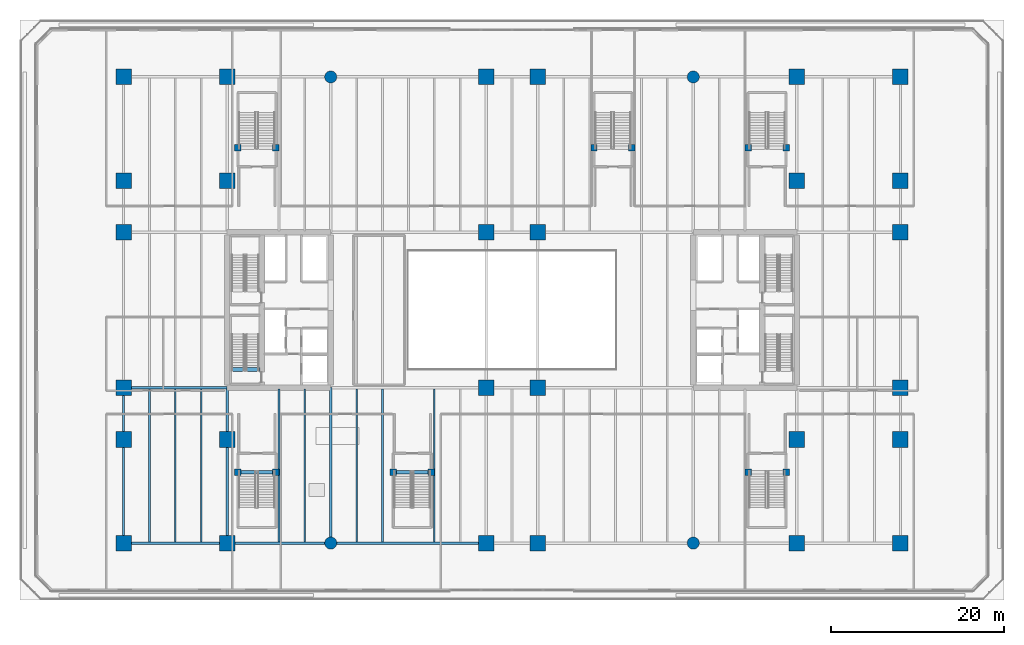
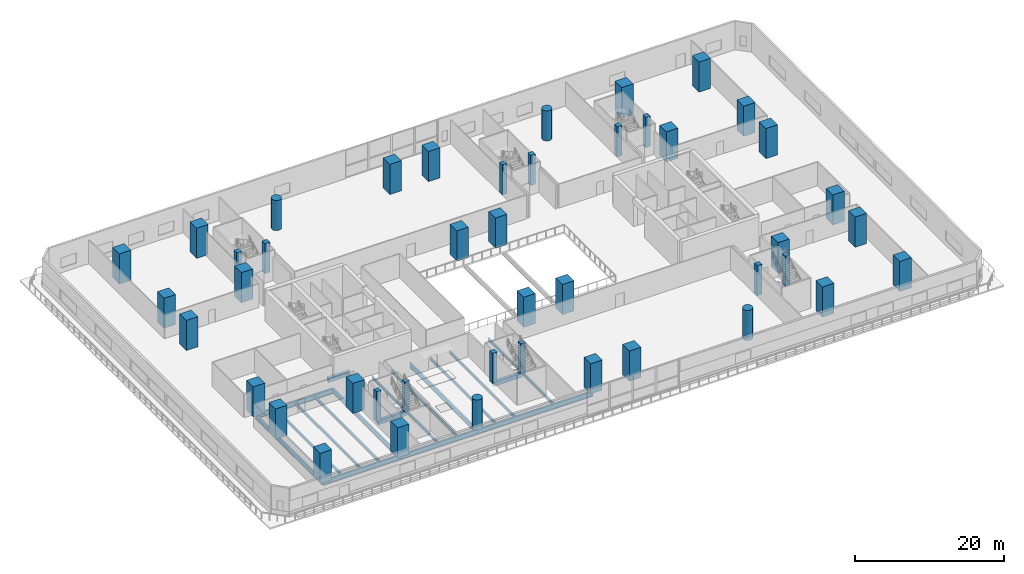
# One storey, part 1 of 24: 44 columns, 18 beams.
"""IFC4 building model written with IfcOpenShell, lengths in metres."""

from ifc_helpers import new_model, si_unit, direction, frame, origin, origin_2d, place, context, subcontext, project, spatial, rectangle, circle, i_section, extrude, material, material_profile, profile_set, type_object, element, save


model = new_model("IFC4")

# Units and contexts
model_context = context("Model", 3, precision=1e-05, world=origin(), true_north=direction((0.0, 1.0)))
body_context = subcontext(model_context, "Body", "Model", "MODEL_VIEW")
ifc_project = project(units=[si_unit("LENGTHUNIT", "METRE"), si_unit("AREAUNIT", "SQUARE_METRE"), si_unit("VOLUMEUNIT", "CUBIC_METRE"), si_unit("PLANEANGLEUNIT", "RADIAN"), si_unit("MASSUNIT", "GRAM", prefix="KILO")], contexts=[model_context])

# Site, building, storey
site_placement = place(None, origin())
site = spatial("IfcSite", under=ifc_project, at=site_placement, CompositionType="ELEMENT")
building_placement = place(site_placement, origin())
building = spatial("IfcBuilding", under=site, at=building_placement, Name="Tanjung Sevakor Pilgrim Tower", CompositionType="ELEMENT")
storey_placement = place(building_placement, frame((0.0, 0.0, 4.949951171875)))
storey = spatial("IfcBuildingStorey", under=building, at=storey_placement, Name="L02", CompositionType="ELEMENT", Elevation=4.949951171875)

# Columns
ifc_material_1 = material(Name="Concrete C60/75", Category="concrete")
ifc_material_profile_1 = material_profile(ifc_material_1, circle(Radius=0.699951171875, at=origin_2d()))
ifc_profile_set_1 = profile_set([ifc_material_profile_1], Name="Concrete C60/75")
column_type_1 = type_object("IfcColumnType", Name="COL-C-D1400-RC-COL_D1400", PredefinedType="COLUMN", material=ifc_profile_set_1)
for number, where, z_axis, x_axis, name in (
    (1, (36.0, 6.60009765625, 0.0), (0.0, 0.0, 1.0), (1.0, 0.0, 0.0), "L02 Column MC-036-066"),
    (2, (36.0, 60.60009765625, 0.0), (0.0, 0.0, 1.0), (1.0, 0.0, 0.0), "L02 Column MC-036-606"),
    (3, (78.0, 6.60009765625, 0.0), (0.0, 0.0, 1.0), (1.0, 0.0, 0.0), "L02 Column MC-078-066"),
    (4, (78.0, 60.60009765625, 0.0), (0.0, 0.0, 1.0), (1.0, 0.0, 0.0), "L02 Column MC-078-606"),
):
    element("IfcColumn", number, at=place(storey_placement, frame(where, z_axis=z_axis, x_axis=x_axis)), inside=storey, type_object=column_type_1, Name=name, PredefinedType="COLUMN", context=body_context, shape_type="SweptSolid", body=[
        extrude(circle(Radius=0.699951171875, at=origin_2d()), origin(), (0.0, 0.0, 1.0), 4.949951171875),
    ])
ifc_material_2 = material(Name="Concrete C60/75", Category="concrete")
ifc_material_profile_2 = material_profile(ifc_material_2, rectangle(XDim=1.800048828125, YDim=1.800048828125, at=origin_2d()))
ifc_profile_set_2 = profile_set([ifc_material_profile_2], Name="Concrete C60/75")
column_type_2 = type_object("IfcColumnType", Name="COL-C-M1800-RC_1800x1800", PredefinedType="COLUMN", material=ifc_profile_set_2)
for number, where, z_axis, x_axis, name in (
    (5, (12.0, 6.60009765625, 0.0), (0.0, 0.0, 1.0), (1.0, 0.0, 0.0), "L02 Column MC-012-066"),
    (6, (12.0, 24.60009765625, 0.0), (0.0, 0.0, 1.0), (1.0, 0.0, 0.0), "L02 Column MC-012-246"),
    (7, (12.0, 42.60009765625, 0.0), (0.0, 0.0, 1.0), (1.0, 0.0, 0.0), "L02 Column MC-012-426"),
    (8, (12.0, 60.60009765625, 0.0), (0.0, 0.0, 1.0), (1.0, 0.0, 0.0), "L02 Column MC-012-606"),
    (9, (24.0, 6.60009765625, 0.0), (0.0, 0.0, 1.0), (1.0, 0.0, 0.0), "L02 Column MC-024-066"),
    (10, (24.0, 60.60009765625, 0.0), (0.0, 0.0, 1.0), (1.0, 0.0, 0.0), "L02 Column MC-024-606"),
    (11, (54.0, 6.60009765625, 0.0), (0.0, 0.0, 1.0), (1.0, 0.0, 0.0), "L02 Column MC-054-066"),
    (12, (54.0, 24.60009765625, 0.0), (0.0, 0.0, 1.0), (1.0, 0.0, 0.0), "L02 Column MC-054-246"),
    (13, (54.0, 42.60009765625, 0.0), (0.0, 0.0, 1.0), (1.0, 0.0, 0.0), "L02 Column MC-054-426"),
    (14, (54.0, 60.60009765625, 0.0), (0.0, 0.0, 1.0), (1.0, 0.0, 0.0), "L02 Column MC-054-606"),
    (15, (60.0, 6.60009765625, 0.0), (0.0, 0.0, 1.0), (1.0, 0.0, 0.0), "L02 Column MC-060-066"),
    (16, (60.0, 24.60009765625, 0.0), (0.0, 0.0, 1.0), (1.0, 0.0, 0.0), "L02 Column MC-060-246"),
    (17, (60.0, 42.60009765625, 0.0), (0.0, 0.0, 1.0), (1.0, 0.0, 0.0), "L02 Column MC-060-426"),
    (18, (60.0, 60.60009765625, 0.0), (0.0, 0.0, 1.0), (1.0, 0.0, 0.0), "L02 Column MC-060-606"),
    (19, (90.0, 6.60009765625, 0.0), (0.0, 0.0, 1.0), (1.0, 0.0, 0.0), "L02 Column MC-090-066"),
    (20, (90.0, 60.60009765625, 0.0), (0.0, 0.0, 1.0), (1.0, 0.0, 0.0), "L02 Column MC-090-606"),
    (21, (102.0, 6.60009765625, 0.0), (0.0, 0.0, 1.0), (1.0, 0.0, 0.0), "L02 Column MC-102-066"),
    (22, (102.0, 24.60009765625, 0.0), (0.0, 0.0, 1.0), (1.0, 0.0, 0.0), "L02 Column MC-102-246"),
    (23, (102.0, 42.60009765625, 0.0), (0.0, 0.0, 1.0), (1.0, 0.0, 0.0), "L02 Column MC-102-426"),
    (24, (102.0, 60.60009765625, 0.0), (0.0, 0.0, 1.0), (1.0, 0.0, 0.0), "L02 Column MC-102-606"),
    (25, (12.0, 18.60009765625, 0.0), (0.0, 0.0, 1.0), (1.0, 0.0, 0.0), "L02 Column MCE-012-186"),
    (26, (12.0, 48.60009765625, 0.0), (0.0, 0.0, 1.0), (1.0, 0.0, 0.0), "L02 Column MCE-012-486"),
    (27, (24.0, 18.60009765625, 0.0), (0.0, 0.0, 1.0), (1.0, 0.0, 0.0), "L02 Column MCE-024-186"),
    (28, (24.0, 48.60009765625, 0.0), (0.0, 0.0, 1.0), (1.0, 0.0, 0.0), "L02 Column MCE-024-486"),
    (29, (90.0, 18.60009765625, 0.0), (0.0, 0.0, 1.0), (1.0, 0.0, 0.0), "L02 Column MCE-090-186"),
    (30, (90.0, 48.60009765625, 0.0), (0.0, 0.0, 1.0), (1.0, 0.0, 0.0), "L02 Column MCE-090-486"),
    (31, (102.0, 18.60009765625, 0.0), (0.0, 0.0, 1.0), (1.0, 0.0, 0.0), "L02 Column MCE-102-186"),
    (32, (102.0, 48.60009765625, 0.0), (0.0, 0.0, 1.0), (1.0, 0.0, 0.0), "L02 Column MCE-102-486"),
):
    element("IfcColumn", number, at=place(storey_placement, frame(where, z_axis=z_axis, x_axis=x_axis)), inside=storey, type_object=column_type_2, Name=name, PredefinedType="COLUMN", context=body_context, shape_type="SweptSolid", body=[
        extrude(rectangle(XDim=1.800048828125, YDim=1.800048828125, at=origin_2d()), origin(), (0.0, 0.0, 1.0), 4.949951171875),
    ])
ifc_material_3 = material(Name="Concrete C60/75", Category="concrete")
ifc_material_profile_3 = material_profile(ifc_material_3, rectangle(XDim=0.75, YDim=0.75, at=origin_2d()))
ifc_profile_set_3 = profile_set([ifc_material_profile_3], Name="Concrete C60/75")
column_type_3 = type_object("IfcColumnType", Name="COL-C-T750-RC_750x750", PredefinedType="COLUMN", material=ifc_profile_set_3)
for number, where, z_axis, x_axis, name in (
    (33, (25.25, 14.800048828125, 0.0), (0.0, 0.0, 1.0), (1.0, 0.0, 0.0), "L02 Stair Frame Column PS1P1"),
    (34, (29.64990234375, 14.800048828125, 0.0), (0.0, 0.0, 1.0), (1.0, 0.0, 0.0), "L02 Stair Frame Column PS1P2"),
    (35, (25.25, 52.39990234375, 0.0), (0.0, 0.0, 1.0), (1.0, 0.0, 0.0), "L02 Stair Frame Column PS2P1"),
    (36, (29.64990234375, 52.39990234375, 0.0), (0.0, 0.0, 1.0), (1.0, 0.0, 0.0), "L02 Stair Frame Column PS2P2"),
    (37, (43.25, 14.800048828125, 0.0), (0.0, 0.0, 1.0), (1.0, 0.0, 0.0), "L02 Stair Frame Column PS3P1"),
    (38, (47.64990234375, 14.800048828125, 0.0), (0.0, 0.0, 1.0), (1.0, 0.0, 0.0), "L02 Stair Frame Column PS3P2"),
    (39, (66.5, 52.39990234375, 0.0), (0.0, 0.0, 1.0), (1.0, 0.0, 0.0), "L02 Stair Frame Column PS4P1"),
    (40, (70.89990234375, 52.39990234375, 0.0), (0.0, 0.0, 1.0), (1.0, 0.0, 0.0), "L02 Stair Frame Column PS4P2"),
    (41, (84.35009765625, 14.800048828125, 0.0), (0.0, 0.0, 1.0), (1.0, 0.0, 0.0), "L02 Stair Frame Column PS5P1"),
    (42, (88.75, 14.800048828125, 0.0), (0.0, 0.0, 1.0), (1.0, 0.0, 0.0), "L02 Stair Frame Column PS5P2"),
    (43, (84.35009765625, 52.39990234375, 0.0), (0.0, 0.0, 1.0), (1.0, 0.0, 0.0), "L02 Stair Frame Column PS6P1"),
    (44, (88.75, 52.39990234375, 0.0), (0.0, 0.0, 1.0), (1.0, 0.0, 0.0), "L02 Stair Frame Column PS6P2"),
):
    element("IfcColumn", number, at=place(storey_placement, frame(where, z_axis=z_axis, x_axis=x_axis)), inside=storey, type_object=column_type_3, Name=name, PredefinedType="COLUMN", context=body_context, shape_type="SweptSolid", body=[
        extrude(rectangle(XDim=0.75, YDim=0.75, at=origin_2d()), origin(), (0.0, 0.0, 1.0), 4.949951171875),
    ])

# Beams
ifc_material_4 = material(Name="Steel S355J2", Category="steel")
ifc_material_profile_4 = material_profile(ifc_material_4, i_section(OverallWidth=0.26806640625, OverallDepth=0.769775390625, WebThickness=0.015625, FlangeThickness=0.025390625, FilletRadius=0.0166015625, at=origin_2d()))
ifc_profile_set_4 = profile_set([ifc_material_profile_4], Name="Steel S355J2")
beam_type_1 = type_object("IfcBeamType", Name="BM-B-G1-UB_762x267x197", PredefinedType="BEAM", material=ifc_profile_set_4)
for number, where, z_axis, x_axis, name in (
    (45, (12.0, 6.60009765625, -0.664794921875), (0.0, 1.0, 0.0), (-1.0, 0.0, 0.0), "L02 Podium Girder NS X12-1"),
    (46, (24.0, 6.60009765625, -0.664794921875), (0.0, 1.0, 0.0), (-1.0, 0.0, 0.0), "L02 Podium Girder NS X24-1"),
    (47, (36.0, 6.60009765625, -0.664794921875), (0.0, 1.0, 0.0), (-1.0, 0.0, 0.0), "L02 Podium Girder NS X36-1"),
):
    element("IfcBeam", number, at=place(storey_placement, frame(where, z_axis=z_axis, x_axis=x_axis)), inside=storey, type_object=beam_type_1, Name=name, PredefinedType="BEAM", context=body_context, shape_type="SweptSolid", body=[
        extrude(i_section(OverallWidth=0.26806640625, OverallDepth=0.769775390625, WebThickness=0.015625, FlangeThickness=0.025390625, FilletRadius=0.0166015625, at=origin_2d()), origin(), (0.0, 0.0, 1.0), 18.0),
    ])
ifc_material_5 = material(Name="Steel S355J2", Category="steel")
ifc_material_profile_5 = material_profile(ifc_material_5, i_section(OverallWidth=0.19287109375, OverallDepth=0.46728515625, WebThickness=0.011474609375, FlangeThickness=0.01953125, FilletRadius=0.01025390625, at=origin_2d()))
ifc_profile_set_5 = profile_set([ifc_material_profile_5], Name="Steel S355J2")
beam_type_2 = type_object("IfcBeamType", Name="BM-B-J1-UB_457x191x98", PredefinedType="JOIST", material=ifc_profile_set_5)
for number, where, z_axis, x_axis, name in (
    (48, (15.0, 6.746826171875, -0.513671875), (0.0, 1.0, 0.0), (-1.0, 0.0, 0.0), "L02 Secondary Joist 001"),
    (49, (18.0, 6.746826171875, -0.513671875), (0.0, 1.0, 0.0), (-1.0, 0.0, 0.0), "L02 Secondary Joist 004"),
    (50, (21.0, 6.746826171875, -0.513671875), (0.0, 1.0, 0.0), (-1.0, 0.0, 0.0), "L02 Secondary Joist 007"),
    (51, (30.0, 6.746826171875, -0.513671875), (0.0, 1.0, 0.0), (-1.0, 0.0, 0.0), "L02 Secondary Joist 010"),
    (52, (33.0, 6.746826171875, -0.513671875), (0.0, 1.0, 0.0), (-1.0, 0.0, 0.0), "L02 Secondary Joist 012"),
    (53, (39.0, 6.746826171875, -0.513671875), (0.0, 1.0, 0.0), (-1.0, 0.0, 0.0), "L02 Secondary Joist 014"),
    (54, (42.0, 6.746826171875, -0.513671875), (0.0, 1.0, 0.0), (-1.0, 0.0, 0.0), "L02 Secondary Joist 017"),
    (55, (48.0, 6.746826171875, -0.513671875), (0.0, 1.0, 0.0), (-1.0, 0.0, 0.0), "L02 Secondary Joist 021"),
):
    element("IfcBeam", number, at=place(storey_placement, frame(where, z_axis=z_axis, x_axis=x_axis)), inside=storey, type_object=beam_type_2, Name=name, PredefinedType="JOIST", context=body_context, shape_type="SweptSolid", body=[
        extrude(i_section(OverallWidth=0.19287109375, OverallDepth=0.46728515625, WebThickness=0.011474609375, FlangeThickness=0.01953125, FilletRadius=0.01025390625, at=origin_2d()), origin(), (0.0, 0.0, 1.0), 17.706298828125),
    ])
ifc_material_6 = material(Name="Concrete C60/75", Category="concrete")
ifc_material_profile_6 = material_profile(ifc_material_6, rectangle(XDim=0.449951171875, YDim=0.699951171875, at=origin_2d()))
ifc_profile_set_6 = profile_set([ifc_material_profile_6], Name="Concrete C60/75")
beam_type_3 = type_object("IfcBeamType", Name="BM-B-LN3-RC-BM_450x700", PredefinedType="LINTEL", material=ifc_profile_set_6)
beam_1_placement = place(storey_placement, frame((24.39990234375, 26.699951171875, -0.349853515625), z_axis=(1.0, 0.0, 0.0), x_axis=(0.0, 1.0, 0.0)))
element("IfcBeam", 56, at=beam_1_placement, inside=storey, type_object=beam_type_3, Name="L02 TS-W1 Stair Threshold Beam", PredefinedType="LINTEL", context=body_context, shape_type="SweptSolid", body=[
    extrude(rectangle(XDim=0.449951171875, YDim=0.699951171875, at=origin_2d()), origin(), (0.0, 0.0, 1.0), 3.400146484375),
])
for number, where, z_axis, x_axis, name in (
    (57, (25.25, 14.800048828125, -0.349853515625), (1.0, 0.0, 0.0), (0.0, 1.0, 0.0), "L02 PS-1 Stair Threshold Beam"),
    (58, (43.25, 14.800048828125, -0.349853515625), (1.0, 0.0, 0.0), (0.0, 1.0, 0.0), "L02 PS-3 Stair Threshold Beam"),
):
    element("IfcBeam", number, at=place(storey_placement, frame(where, z_axis=z_axis, x_axis=x_axis)), inside=storey, type_object=beam_type_3, Name=name, PredefinedType="LINTEL", context=body_context, shape_type="SweptSolid", body=[
        extrude(rectangle(XDim=0.449951171875, YDim=0.699951171875, at=origin_2d()), origin(), (0.0, 0.0, 1.0), 4.39990234375),
    ])
ifc_material_7 = material(Name="Steel S355J2", Category="steel")
ifc_material_profile_7 = material_profile(ifc_material_7, i_section(OverallWidth=0.293701171875, OverallDepth=0.850830078125, WebThickness=0.01611328125, FlangeThickness=0.02685546875, FilletRadius=0.017822265625, at=origin_2d()))
ifc_profile_set_7 = profile_set([ifc_material_profile_7], Name="Steel S355J2")
beam_type_4 = type_object("IfcBeamType", Name="BM-B-POD3-UB_838x292x226", PredefinedType="BEAM", material=ifc_profile_set_7)
for number, where, z_axis, x_axis, name in (
    (59, (12.0, 6.60009765625, -0.705322265625), (1.0, 0.0, 0.0), (0.0, 1.0, 0.0), "L02 Podium Girder EW Y6.6-1"),
    (60, (24.0, 6.60009765625, -0.705322265625), (1.0, 0.0, 0.0), (0.0, 1.0, 0.0), "L02 Podium Girder EW Y6.6-2"),
):
    element("IfcBeam", number, at=place(storey_placement, frame(where, z_axis=z_axis, x_axis=x_axis)), inside=storey, type_object=beam_type_4, Name=name, PredefinedType="BEAM", context=body_context, shape_type="SweptSolid", body=[
        extrude(i_section(OverallWidth=0.293701171875, OverallDepth=0.850830078125, WebThickness=0.01611328125, FlangeThickness=0.02685546875, FilletRadius=0.017822265625, at=origin_2d()), origin(), (0.0, 0.0, 1.0), 12.0),
    ])
beam_2_placement = place(storey_placement, frame((36.0, 6.60009765625, -0.705322265625), z_axis=(1.0, 0.0, 0.0), x_axis=(0.0, 1.0, 0.0)))
element("IfcBeam", 61, at=beam_2_placement, inside=storey, type_object=beam_type_4, Name="L02 Podium Girder EW Y6.6-3", PredefinedType="BEAM", context=body_context, shape_type="SweptSolid", body=[
    extrude(i_section(OverallWidth=0.293701171875, OverallDepth=0.850830078125, WebThickness=0.01611328125, FlangeThickness=0.02685546875, FilletRadius=0.017822265625, at=origin_2d()), origin(), (0.0, 0.0, 1.0), 18.0),
])
beam_3_placement = place(storey_placement, frame((12.0, 24.60009765625, -0.705322265625), z_axis=(1.0, 0.0, 0.0), x_axis=(0.0, 1.0, 0.0)))
element("IfcBeam", 62, at=beam_3_placement, inside=storey, type_object=beam_type_4, Name="L02 Podium Girder EW Y24.6-1", PredefinedType="BEAM", context=body_context, shape_type="SweptSolid", body=[
    extrude(i_section(OverallWidth=0.293701171875, OverallDepth=0.850830078125, WebThickness=0.01611328125, FlangeThickness=0.02685546875, FilletRadius=0.017822265625, at=origin_2d()), origin(), (0.0, 0.0, 1.0), 12.0),
])

save(model, "model.ifc")
